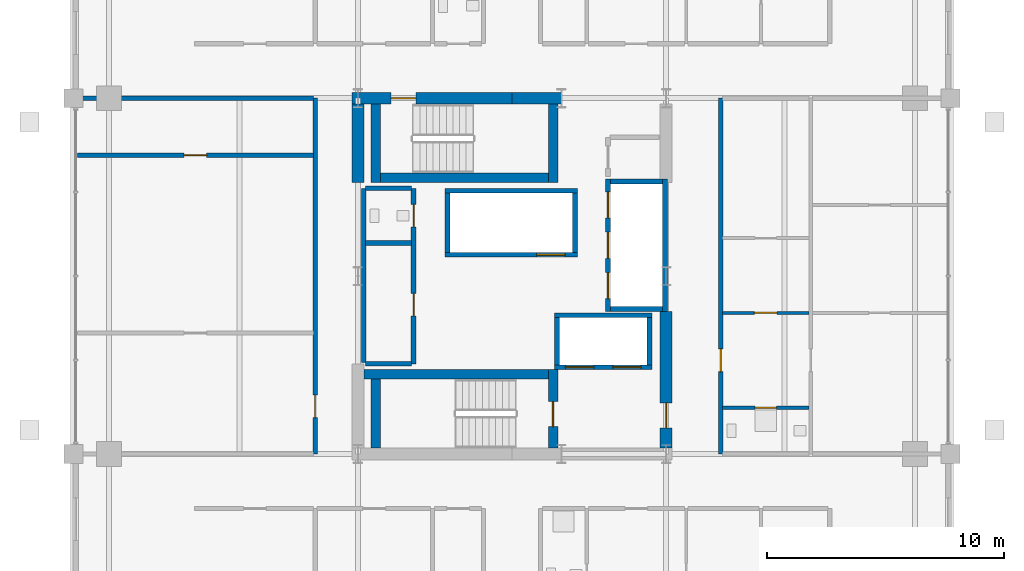
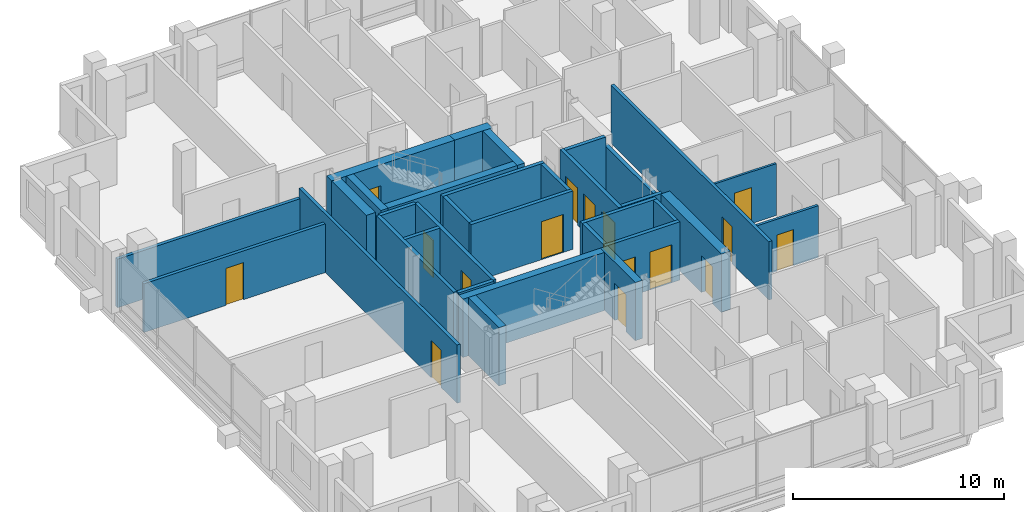
# One storey, part 19 of 24: 33 walls, 16 doors, 16 openings.
"""IFC4 building model written with IfcOpenShell, lengths in metres."""

from ifc_helpers import new_model, si_unit, direction, frame, frame_2d, origin, place, context, subcontext, project, spatial, rectangle, extrude, material, layer, layer_set, type_object, element, fill, save


model = new_model("IFC4")

# Units and contexts
model_context = context("Model", 3, precision=1e-05, world=origin(), true_north=direction((0.0, 1.0)))
body_context = subcontext(model_context, "Body", "Model", "MODEL_VIEW")
ifc_project = project(units=[si_unit("LENGTHUNIT", "METRE"), si_unit("AREAUNIT", "SQUARE_METRE"), si_unit("VOLUMEUNIT", "CUBIC_METRE"), si_unit("PLANEANGLEUNIT", "RADIAN"), si_unit("MASSUNIT", "GRAM", prefix="KILO")], contexts=[model_context])

# Site, building, storey
site_placement = place(None, origin())
site = spatial("IfcSite", under=ifc_project, at=site_placement, CompositionType="ELEMENT")
building_placement = place(site_placement, origin())
building = spatial("IfcBuilding", under=site, at=building_placement, Name="Barlavira Tower and Art Museum", CompositionType="ELEMENT")
storey_placement = place(building_placement, frame((0.0, 0.0, 180.0)))
storey = spatial("IfcBuildingStorey", under=building, at=storey_placement, Name="L46", CompositionType="ELEMENT", Elevation=180.0)

# Wall, opening, door
ifc_material_1 = material(Name="Gypsum acoustic stud partition", Category="gypsum")
ifc_layer_1 = layer(ifc_material_1, 0.1201171875, Name="Gypsum acoustic stud partition")
ifc_layer_set_1 = layer_set([ifc_layer_1], Name="Gypsum acoustic stud partition")
wall_type_1 = type_object("IfcWallType", Name="Apartment Internal Acoustic Partition 120", PredefinedType="PARTITIONING", material=ifc_layer_set_1)
wall_1_placement = place(storey_placement, frame((8.8798828125, -1.550048828125, 0.0), z_axis=(0.0, 0.0, 1.0), x_axis=(1.0, 0.0, 0.0)))
wall_1 = element("IfcWall", 1, at=wall_1_placement, inside=storey, type_object=wall_type_1, Name="L46 Partition Wall 44", PredefinedType="PARTITIONING", context=body_context, shape_type="SweptSolid", body=[
    extrude(rectangle(XDim=3.64013671875, YDim=0.1201171875, at=frame_2d((1.820068359375, 0.0))), origin(), (0.0, 0.0, 1.0), 3.010986328125),
])
opening_1_placement = place(wall_1_placement, frame((1.344970703125, 0.0, 0.0)))
opening_1 = element("IfcOpeningElement", 2, at=opening_1_placement, cuts=wall_1, Name="Opening D-02", PredefinedType="OPENING", context=body_context, shape_type="SweptSolid", body=[
    extrude(rectangle(XDim=0.949951171875, YDim=2.10009765625, at=frame_2d((0.47509765625, 1.050048828125))), frame((0.0, 0.070068359375, 0.0), z_axis=(0.0, -1.0, 0.0), x_axis=(1.0, 0.0, 0.0)), (0.0, 0.0, 1.0), 0.14013671875),
])
ifc_material_2 = material(Name="Engineered coastal hardwood", Category="wood")
door_type_1 = type_object("IfcDoorType", Name="Living and Salon Glazed-Leaf Door 950x2100", OperationType="NOTDEFINED", PredefinedType="DOOR", material=ifc_material_2)
door_1_placement = place(opening_1_placement, origin())
door_1 = element("IfcDoor", 3, at=door_1_placement, inside=storey, type_object=door_type_1, Name="Apartment E1 Kitchen Door", OperationType="SINGLE_SWING_RIGHT", OverallHeight=2.10009765625, OverallWidth=0.949951171875, PredefinedType="DOOR", context=body_context, shape_type="SweptSolid", body=[
    extrude(rectangle(XDim=0.949951171875, YDim=2.10009765625, at=frame_2d((0.47509765625, 1.050048828125))), frame((0.0, 0.02490234375, 0.0), z_axis=(0.0, -1.0, 0.0), x_axis=(1.0, 0.0, 0.0)), (0.0, 0.0, 1.0), 0.050048828125),
])
fill(opening_1, door_1)

ifc_material_3 = material(Name="Concrete C60", Category="concrete")
ifc_layer_2 = layer(ifc_material_3, 0.5, Name="Concrete C60")
ifc_layer_set_2 = layer_set([ifc_layer_2], Name="Concrete C60")
wall_type_2 = type_object("IfcWallType", Name="Core Structural Shear Wall 500 Concrete C60", PredefinedType="SHEAR", material=ifc_layer_set_2)
wall_2_placement = place(storey_placement, frame((-6.75, 7.5, 0.0), z_axis=(0.0, 0.0, 1.0), x_axis=(1.0, 0.0, 0.0)))
wall_2 = element("IfcWall", 4, at=wall_2_placement, inside=storey, type_object=wall_type_2, Name="L46 Core Shear Wall CS-NW", PredefinedType="SHEAR", context=body_context, shape_type="SweptSolid", body=[
    extrude(rectangle(XDim=6.75, YDim=0.5, at=frame_2d((3.375, 0.0))), origin(), (0.0, 0.0, 1.0), 3.3798828125),
])
opening_2_placement = place(wall_2_placement, frame((1.64990234375, 0.0, 0.0)))
opening_2 = element("IfcOpeningElement", 5, at=opening_2_placement, cuts=wall_2, Name="Opening FD-90", PredefinedType="OPENING", context=body_context, shape_type="SweptSolid", body=[
    extrude(rectangle(XDim=1.050048828125, YDim=2.14990234375, at=frame_2d((0.52490234375, 1.074951171875))), frame((0.0, 0.260009765625, 0.0), z_axis=(0.0, -1.0, 0.0), x_axis=(1.0, 0.0, 0.0)), (0.0, 0.0, 1.0), 0.52001953125),
])
ifc_material_4 = material(Name="Brushed stainless steel", Category="steel")
door_type_2 = type_object("IfcDoorType", Name="Stair and Refuge Fire Door 1050x2150 FD90S", OperationType="NOTDEFINED", PredefinedType="DOOR", material=ifc_material_4)
door_2_placement = place(opening_2_placement, origin())
door_2 = element("IfcDoor", 6, at=door_2_placement, inside=storey, type_object=door_type_2, Name="L46 Stair ST-T2 Fire Door", OperationType="SINGLE_SWING_LEFT", OverallHeight=2.14990234375, OverallWidth=1.050048828125, PredefinedType="DOOR", context=body_context, shape_type="SweptSolid", body=[
    extrude(rectangle(XDim=1.050048828125, YDim=2.14990234375, at=frame_2d((0.52490234375, 1.074951171875))), frame((0.0, 0.02490234375, 0.0), z_axis=(0.0, -1.0, 0.0), x_axis=(1.0, 0.0, 0.0)), (0.0, 0.0, 1.0), 0.050048828125),
])
fill(opening_2, door_2)

# Walls
wall_3_placement = place(storey_placement, frame((0.0, 7.5, 0.0), z_axis=(0.0, 0.0, 1.0), x_axis=(1.0, 0.0, 0.0)))
element("IfcWall", 7, at=wall_3_placement, inside=storey, type_object=wall_type_2, Name="L46 Core Shear Wall CS-EN", PredefinedType="SHEAR", context=body_context, shape_type="SweptSolid", body=[
    extrude(rectangle(XDim=2.080078125, YDim=0.5, at=frame_2d((1.0400390625, 0.0))), origin(), (0.0, 0.0, 1.0), 3.3798828125),
])
wall_4_placement = place(storey_placement, frame((-6.5, 3.949951171875, 0.0), z_axis=(0.0, 0.0, 1.0), x_axis=(0.0, 1.0, 0.0)))
element("IfcWall", 8, at=wall_4_placement, inside=storey, type_object=wall_type_2, Name="L46 Core Shear Wall CS-W2", PredefinedType="SHEAR", context=body_context, shape_type="SweptSolid", body=[
    extrude(rectangle(XDim=3.300048828125, YDim=0.5, at=frame_2d((1.64990234375, 0.0))), origin(), (0.0, 0.0, 1.0), 3.3798828125),
])

# Wall, opening, door
wall_5_placement = place(storey_placement, frame((6.5, -7.25, 0.0), z_axis=(0.0, 0.0, 1.0), x_axis=(0.0, 1.0, 0.0)))
wall_5 = element("IfcWall", 9, at=wall_5_placement, inside=storey, type_object=wall_type_2, Name="L46 Core Shear Wall CS-E1", PredefinedType="SHEAR", context=body_context, shape_type="SweptSolid", body=[
    extrude(rectangle(XDim=5.75, YDim=0.5, at=frame_2d((2.875, 0.0))), origin(), (0.0, 0.0, 1.0), 3.3798828125),
])
opening_3_placement = place(wall_5_placement, frame((0.85009765625, 0.0, 0.0)))
opening_3 = element("IfcOpeningElement", 10, at=opening_3_placement, cuts=wall_5, Name="Opening FD-90", PredefinedType="OPENING", context=body_context, shape_type="SweptSolid", body=[
    extrude(rectangle(XDim=1.050048828125, YDim=2.14990234375, at=frame_2d((0.52490234375, 1.074951171875))), frame((0.0, 0.260009765625, 0.0), z_axis=(0.0, -1.0, 0.0), x_axis=(1.0, 0.0, 0.0)), (0.0, 0.0, 1.0), 0.52001953125),
])
door_3_placement = place(opening_3_placement, origin())
door_3 = element("IfcDoor", 11, at=door_3_placement, inside=storey, type_object=door_type_2, Name="L46 Firefighting Lobby Entry Fire Door", OperationType="SINGLE_SWING_LEFT", OverallHeight=2.14990234375, OverallWidth=1.050048828125, PredefinedType="DOOR", context=body_context, shape_type="SweptSolid", body=[
    extrude(rectangle(XDim=1.050048828125, YDim=2.14990234375, at=frame_2d((0.52490234375, 1.074951171875))), frame((0.0, 0.02490234375, 0.0), z_axis=(0.0, -1.0, 0.0), x_axis=(1.0, 0.0, 0.0)), (0.0, 0.0, 1.0), 0.050048828125),
])
fill(opening_3, door_3)

# Wall, openings, doors
ifc_material_5 = material(Name="Autoclaved aerated concrete masonry", Category="masonry")
ifc_layer_3 = layer(ifc_material_5, 0.199951171875, Name="Autoclaved aerated concrete masonry")
ifc_layer_set_3 = layer_set([ifc_layer_3], Name="Autoclaved aerated concrete masonry")
wall_type_3 = type_object("IfcWallType", Name="Fire Compartment and Shaft Wall 200", PredefinedType="SOLIDWALL", material=ifc_layer_set_3)
wall_6_placement = place(storey_placement, frame((4.050048828125, -1.489990234375, 0.0), z_axis=(0.0, 0.0, 1.0), x_axis=(0.0, 1.0, 0.0)))
wall_6 = element("IfcWall", 12, at=wall_6_placement, inside=storey, type_object=wall_type_3, Name="L46 Mid-Rise Lift Front Shaft Wall", PredefinedType="SOLIDWALL", context=body_context, shape_type="SweptSolid", body=[
    extrude(rectangle(XDim=5.580078125, YDim=0.199951171875, at=frame_2d((2.7900390625, 0.0))), origin(), (0.0, 0.0, 1.0), 3.3798828125),
])
opening_4_placement = place(wall_6_placement, frame((0.5400390625, 0.0, 0.0)))
opening_4 = element("IfcOpeningElement", 13, at=opening_4_placement, cuts=wall_6, Name="Opening LD-P", PredefinedType="OPENING", context=body_context, shape_type="SweptSolid", body=[
    extrude(rectangle(XDim=1.10009765625, YDim=2.14990234375, at=frame_2d((0.550048828125, 1.074951171875))), frame((0.0, 0.10986328125, 0.0), z_axis=(0.0, -1.0, 0.0), x_axis=(1.0, 0.0, 0.0)), (0.0, 0.0, 1.0), 0.219970703125),
])
opening_5_placement = place(wall_6_placement, frame((2.239990234375, 0.0, 0.0)))
opening_5 = element("IfcOpeningElement", 14, at=opening_5_placement, cuts=wall_6, Name="Opening LD-P", PredefinedType="OPENING", context=body_context, shape_type="SweptSolid", body=[
    extrude(rectangle(XDim=1.10009765625, YDim=2.14990234375, at=frame_2d((0.550048828125, 1.074951171875))), frame((0.0, 0.10986328125, 0.0), z_axis=(0.0, -1.0, 0.0), x_axis=(1.0, 0.0, 0.0)), (0.0, 0.0, 1.0), 0.219970703125),
])
opening_6_placement = place(wall_6_placement, frame((3.93994140625, 0.0, 0.0)))
opening_6 = element("IfcOpeningElement", 15, at=opening_6_placement, cuts=wall_6, Name="Opening LD-P", PredefinedType="OPENING", context=body_context, shape_type="SweptSolid", body=[
    extrude(rectangle(XDim=1.10009765625, YDim=2.14990234375, at=frame_2d((0.550048828125, 1.074951171875))), frame((0.0, 0.10986328125, 0.0), z_axis=(0.0, -1.0, 0.0), x_axis=(1.0, 0.0, 0.0)), (0.0, 0.0, 1.0), 0.219970703125),
])
door_type_3 = type_object("IfcDoorType", Name="Passenger Lift Sliding Landing Door 1100x2150 FD60", OperationType="NOTDEFINED", PredefinedType="DOOR", material=ifc_material_4)
door_4_placement = place(opening_4_placement, origin())
door_4 = element("IfcDoor", 16, at=door_4_placement, inside=storey, type_object=door_type_3, Name="L46 Lift PM1 Sliding Landing Door", OperationType="DOUBLE_DOOR_SLIDING", OverallHeight=2.14990234375, OverallWidth=1.10009765625, PredefinedType="DOOR", context=body_context, shape_type="SweptSolid", body=[
    extrude(rectangle(XDim=1.10009765625, YDim=2.14990234375, at=frame_2d((0.550048828125, 1.074951171875))), frame((0.0, 0.02490234375, 0.0), z_axis=(0.0, -1.0, 0.0), x_axis=(1.0, 0.0, 0.0)), (0.0, 0.0, 1.0), 0.050048828125),
])
fill(opening_4, door_4)
door_5_placement = place(opening_5_placement, origin())
door_5 = element("IfcDoor", 17, at=door_5_placement, inside=storey, type_object=door_type_3, Name="L46 Lift PM2 Sliding Landing Door", OperationType="DOUBLE_DOOR_SLIDING", OverallHeight=2.14990234375, OverallWidth=1.10009765625, PredefinedType="DOOR", context=body_context, shape_type="SweptSolid", body=[
    extrude(rectangle(XDim=1.10009765625, YDim=2.14990234375, at=frame_2d((0.550048828125, 1.074951171875))), frame((0.0, 0.02490234375, 0.0), z_axis=(0.0, -1.0, 0.0), x_axis=(1.0, 0.0, 0.0)), (0.0, 0.0, 1.0), 0.050048828125),
])
fill(opening_5, door_5)
door_6_placement = place(opening_6_placement, origin())
door_6 = element("IfcDoor", 18, at=door_6_placement, inside=storey, type_object=door_type_3, Name="L46 Lift PM3 Sliding Landing Door", OperationType="DOUBLE_DOOR_SLIDING", OverallHeight=2.14990234375, OverallWidth=1.10009765625, PredefinedType="DOOR", context=body_context, shape_type="SweptSolid", body=[
    extrude(rectangle(XDim=1.10009765625, YDim=2.14990234375, at=frame_2d((0.550048828125, 1.074951171875))), frame((0.0, 0.02490234375, 0.0), z_axis=(0.0, -1.0, 0.0), x_axis=(1.0, 0.0, 0.0)), (0.0, 0.0, 1.0), 0.050048828125),
])
fill(opening_6, door_6)

# Walls
wall_7_placement = place(storey_placement, frame((6.449951171875, -1.489990234375, 0.0), z_axis=(0.0, 0.0, 1.0), x_axis=(0.0, 1.0, 0.0)))
element("IfcWall", 19, at=wall_7_placement, inside=storey, type_object=wall_type_3, Name="L46 Mid-Rise Lift Back Shaft Wall", PredefinedType="SOLIDWALL", context=body_context, shape_type="SweptSolid", body=[
    extrude(rectangle(XDim=5.580078125, YDim=0.199951171875, at=frame_2d((2.7900390625, 0.0))), origin(), (0.0, 0.0, 1.0), 2.825927734375),
])
for number, where, z_axis, x_axis, name in (
    (20, (4.14990234375, -1.389892578125, 0.0), (0.0, 0.0, 1.0), (1.0, 0.0, 0.0), "L46 Mid-Rise Lift South Shaft Wall"),
    (21, (4.14990234375, 3.989990234375, 0.0), (0.0, 0.0, 1.0), (1.0, 0.0, 0.0), "L46 Mid-Rise Lift North Shaft Wall"),
):
    element("IfcWall", number, at=place(storey_placement, frame(where, z_axis=z_axis, x_axis=x_axis)), inside=storey, type_object=wall_type_3, Name=name, PredefinedType="SOLIDWALL", context=body_context, shape_type="SweptSolid", body=[
        extrude(rectangle(XDim=2.2001953125, YDim=0.199951171875, at=frame_2d((1.10009765625, 0.0))), origin(), (0.0, 0.0, 1.0), 3.3798828125),
    ])

# Wall, opening, door
wall_8_placement = place(storey_placement, frame((-2.820068359375, 0.89990234375, 0.0), z_axis=(0.0, 0.0, 1.0), x_axis=(1.0, 0.0, 0.0)))
wall_8 = element("IfcWall", 22, at=wall_8_placement, inside=storey, type_object=wall_type_3, Name="L46 High-Rise & Service Lift Front Wall", PredefinedType="SOLIDWALL", context=body_context, shape_type="SweptSolid", body=[
    extrude(rectangle(XDim=5.580078125, YDim=0.199951171875, at=frame_2d((2.7900390625, 0.0))), origin(), (0.0, 0.0, 1.0), 3.3798828125),
])
opening_7_placement = place(wall_8_placement, frame((3.860107421875, 0.0, 0.0)))
opening_7 = element("IfcOpeningElement", 23, at=opening_7_placement, cuts=wall_8, Name="Opening LD-F", PredefinedType="OPENING", context=body_context, shape_type="SweptSolid", body=[
    extrude(rectangle(XDim=1.199951171875, YDim=2.199951171875, at=frame_2d((0.60009765625, 1.10009765625))), frame((0.0, 0.10986328125, 0.0), z_axis=(0.0, -1.0, 0.0), x_axis=(1.0, 0.0, 0.0)), (0.0, 0.0, 1.0), 0.219970703125),
])
door_type_4 = type_object("IfcDoorType", Name="Firefighting and Service Lift Sliding Door 1200x2200 FD120", OperationType="NOTDEFINED", PredefinedType="DOOR", material=ifc_material_4)
door_7_placement = place(opening_7_placement, origin())
door_7 = element("IfcDoor", 24, at=door_7_placement, inside=storey, type_object=door_type_4, Name="L46 Stretcher Service Lift SL1 Sliding Door", OperationType="DOUBLE_DOOR_SLIDING", OverallHeight=2.199951171875, OverallWidth=1.199951171875, PredefinedType="DOOR", context=body_context, shape_type="SweptSolid", body=[
    extrude(rectangle(XDim=1.199951171875, YDim=2.199951171875, at=frame_2d((0.60009765625, 1.10009765625))), frame((0.0, 0.02490234375, 0.0), z_axis=(0.0, -1.0, 0.0), x_axis=(1.0, 0.0, 0.0)), (0.0, 0.0, 1.0), 0.050048828125),
])
fill(opening_7, door_7)

# Walls
wall_9_placement = place(storey_placement, frame((-2.820068359375, 3.60009765625, 0.0), z_axis=(0.0, 0.0, 1.0), x_axis=(1.0, 0.0, 0.0)))
element("IfcWall", 25, at=wall_9_placement, inside=storey, type_object=wall_type_3, Name="L46 High-Rise & Service Lift Back Wall", PredefinedType="SOLIDWALL", context=body_context, shape_type="SweptSolid", body=[
    extrude(rectangle(XDim=5.580078125, YDim=0.199951171875, at=frame_2d((2.7900390625, 0.0))), origin(), (0.0, 0.0, 1.0), 3.3798828125),
])
for number, where, z_axis, x_axis, name in (
    (26, (-2.719970703125, 1.0, 0.0), (0.0, 0.0, 1.0), (0.0, 1.0, 0.0), "L46 High-Rise & Service Lift West Wall"),
    (27, (2.659912109375, 1.0, 0.0), (0.0, 0.0, 1.0), (0.0, 1.0, 0.0), "L46 High-Rise & Service Lift East Wall"),
):
    element("IfcWall", number, at=place(storey_placement, frame(where, z_axis=z_axis, x_axis=x_axis)), inside=storey, type_object=wall_type_3, Name=name, PredefinedType="SOLIDWALL", context=body_context, shape_type="SweptSolid", body=[
        extrude(rectangle(XDim=2.5, YDim=0.199951171875, at=frame_2d((1.25, 0.0))), origin(), (0.0, 0.0, 1.0), 3.3798828125),
    ])

# Wall, openings, doors
wall_10_placement = place(storey_placement, frame((1.800048828125, -3.85009765625, 0.0), z_axis=(0.0, 0.0, 1.0), x_axis=(1.0, 0.0, 0.0)))
wall_10 = element("IfcWall", 28, at=wall_10_placement, inside=storey, type_object=wall_type_3, Name="L46 Firefighting Lift Front Shaft Wall", PredefinedType="SOLIDWALL", context=body_context, shape_type="SweptSolid", body=[
    extrude(rectangle(XDim=4.099853515625, YDim=0.199951171875, at=frame_2d((2.0498046875, 0.0))), origin(), (0.0, 0.0, 1.0), 3.3798828125),
])
opening_8_placement = place(wall_10_placement, frame((0.449951171875, 0.0, 0.0)))
opening_8 = element("IfcOpeningElement", 29, at=opening_8_placement, cuts=wall_10, Name="Opening LD-F", PredefinedType="OPENING", context=body_context, shape_type="SweptSolid", body=[
    extrude(rectangle(XDim=1.199951171875, YDim=2.199951171875, at=frame_2d((0.60009765625, 1.10009765625))), frame((0.0, 0.10986328125, 0.0), z_axis=(0.0, -1.0, 0.0), x_axis=(1.0, 0.0, 0.0)), (0.0, 0.0, 1.0), 0.219970703125),
])
opening_9_placement = place(wall_10_placement, frame((2.449951171875, 0.0, 0.0)))
opening_9 = element("IfcOpeningElement", 30, at=opening_9_placement, cuts=wall_10, Name="Opening LD-F", PredefinedType="OPENING", context=body_context, shape_type="SweptSolid", body=[
    extrude(rectangle(XDim=1.199951171875, YDim=2.199951171875, at=frame_2d((0.60009765625, 1.10009765625))), frame((0.0, 0.10986328125, 0.0), z_axis=(0.0, -1.0, 0.0), x_axis=(1.0, 0.0, 0.0)), (0.0, 0.0, 1.0), 0.219970703125),
])
door_8_placement = place(opening_8_placement, origin())
door_8 = element("IfcDoor", 31, at=door_8_placement, inside=storey, type_object=door_type_4, Name="L46 Firefighting Lift FF1 Sliding Door", OperationType="DOUBLE_DOOR_SLIDING", OverallHeight=2.199951171875, OverallWidth=1.199951171875, PredefinedType="DOOR", context=body_context, shape_type="SweptSolid", body=[
    extrude(rectangle(XDim=1.199951171875, YDim=2.199951171875, at=frame_2d((0.60009765625, 1.10009765625))), frame((0.0, 0.02490234375, 0.0), z_axis=(0.0, -1.0, 0.0), x_axis=(1.0, 0.0, 0.0)), (0.0, 0.0, 1.0), 0.050048828125),
])
fill(opening_8, door_8)
door_9_placement = place(opening_9_placement, origin())
door_9 = element("IfcDoor", 32, at=door_9_placement, inside=storey, type_object=door_type_4, Name="L46 Firefighting Lift FF2 Sliding Door", OperationType="DOUBLE_DOOR_SLIDING", OverallHeight=2.199951171875, OverallWidth=1.199951171875, PredefinedType="DOOR", context=body_context, shape_type="SweptSolid", body=[
    extrude(rectangle(XDim=1.199951171875, YDim=2.199951171875, at=frame_2d((0.60009765625, 1.10009765625))), frame((0.0, 0.02490234375, 0.0), z_axis=(0.0, -1.0, 0.0), x_axis=(1.0, 0.0, 0.0)), (0.0, 0.0, 1.0), 0.050048828125),
])
fill(opening_9, door_9)

# Walls
wall_11_placement = place(storey_placement, frame((1.800048828125, -1.64990234375, 0.0), z_axis=(0.0, 0.0, 1.0), x_axis=(1.0, 0.0, 0.0)))
element("IfcWall", 33, at=wall_11_placement, inside=storey, type_object=wall_type_3, Name="L46 Firefighting Lift Back Shaft Wall", PredefinedType="SOLIDWALL", context=body_context, shape_type="SweptSolid", body=[
    extrude(rectangle(XDim=4.099853515625, YDim=0.199951171875, at=frame_2d((2.0498046875, 0.0))), origin(), (0.0, 0.0, 1.0), 3.3798828125),
])
for number, where, z_axis, x_axis, name in (
    (34, (1.89990234375, -3.75, 0.0), (0.0, 0.0, 1.0), (0.0, 1.0, 0.0), "L46 Firefighting Lift West Shaft Wall"),
    (35, (5.800048828125, -3.75, 0.0), (0.0, 0.0, 1.0), (0.0, 1.0, 0.0), "L46 Firefighting Lift East Shaft Wall"),
):
    element("IfcWall", number, at=place(storey_placement, frame(where, z_axis=z_axis, x_axis=x_axis)), inside=storey, type_object=wall_type_3, Name=name, PredefinedType="SOLIDWALL", context=body_context, shape_type="SweptSolid", body=[
        extrude(rectangle(XDim=2.0, YDim=0.199951171875, at=frame_2d((1.0, 0.0))), origin(), (0.0, 0.0, 1.0), 3.3798828125),
    ])
wall_12_placement = place(storey_placement, frame((-6.25, -3.639892578125, 0.0), z_axis=(0.0, 0.0, 1.0), x_axis=(0.0, 1.0, 0.0)))
element("IfcWall", 36, at=wall_12_placement, inside=storey, type_object=wall_type_3, Name="L46 Partition Wall 4", PredefinedType="SOLIDWALL", context=body_context, shape_type="SweptSolid", body=[
    extrude(rectangle(XDim=7.33984375, YDim=0.199951171875, at=frame_2d((3.669921875, 0.0))), origin(), (0.0, 0.0, 1.0), 3.3798828125),
])

# Wall, openings, doors
wall_13_placement = place(storey_placement, frame((-4.14990234375, -3.699951171875, 0.0), z_axis=(0.0, 0.0, 1.0), x_axis=(0.0, 1.0, 0.0)))
wall_13 = element("IfcWall", 37, at=wall_13_placement, inside=storey, type_object=wall_type_3, Name="L46 Partition Wall 5", PredefinedType="SOLIDWALL", context=body_context, shape_type="SweptSolid", body=[
    extrude(rectangle(XDim=7.39990234375, YDim=0.199951171875, at=frame_2d((3.699951171875, 0.0))), origin(), (0.0, 0.0, 1.0), 3.3798828125),
])
opening_10_placement = place(wall_13_placement, frame((2.02490234375, 0.0, 0.0)))
opening_10 = element("IfcOpeningElement", 38, at=opening_10_placement, cuts=wall_13, Name="Opening FD-60", PredefinedType="OPENING", context=body_context, shape_type="SweptSolid", body=[
    extrude(rectangle(XDim=0.949951171875, YDim=2.14990234375, at=frame_2d((0.47509765625, 1.074951171875))), frame((0.0, 0.10986328125, 0.0), z_axis=(0.0, -1.0, 0.0), x_axis=(1.0, 0.0, 0.0)), (0.0, 0.0, 1.0), 0.219970703125),
])
opening_11_placement = place(wall_13_placement, frame((5.77490234375, 0.0, 0.0)))
opening_11 = element("IfcOpeningElement", 39, at=opening_11_placement, cuts=wall_13, Name="Opening FD-60", PredefinedType="OPENING", context=body_context, shape_type="SweptSolid", body=[
    extrude(rectangle(XDim=0.949951171875, YDim=2.14990234375, at=frame_2d((0.47509765625, 1.074951171875))), frame((0.0, 0.10986328125, 0.0), z_axis=(0.0, -1.0, 0.0), x_axis=(1.0, 0.0, 0.0)), (0.0, 0.0, 1.0), 0.219970703125),
])
door_type_5 = type_object("IfcDoorType", Name="Apartment Entrance and Riser Fire Door 950x2150 FD60S", OperationType="NOTDEFINED", PredefinedType="DOOR", material=ifc_material_4)
door_10_placement = place(opening_10_placement, origin())
door_10 = element("IfcDoor", 40, at=door_10_placement, inside=storey, type_object=door_type_5, Name="Reclaimed Core Resident Parcel Room Door", OperationType="SINGLE_SWING_LEFT", OverallHeight=2.14990234375, OverallWidth=0.949951171875, PredefinedType="DOOR", context=body_context, shape_type="SweptSolid", body=[
    extrude(rectangle(XDim=0.949951171875, YDim=2.14990234375, at=frame_2d((0.47509765625, 1.074951171875))), frame((0.0, 0.02490234375, 0.0), z_axis=(0.0, -1.0, 0.0), x_axis=(1.0, 0.0, 0.0)), (0.0, 0.0, 1.0), 0.050048828125),
])
fill(opening_10, door_10)
door_11_placement = place(opening_11_placement, origin())
door_11 = element("IfcDoor", 41, at=door_11_placement, inside=storey, type_object=door_type_5, Name="Reclaimed Core Accessible WC Door", OperationType="SINGLE_SWING_RIGHT", OverallHeight=2.14990234375, OverallWidth=0.949951171875, PredefinedType="DOOR", context=body_context, shape_type="SweptSolid", body=[
    extrude(rectangle(XDim=0.949951171875, YDim=2.14990234375, at=frame_2d((0.47509765625, 1.074951171875))), frame((0.0, 0.02490234375, 0.0), z_axis=(0.0, -1.0, 0.0), x_axis=(1.0, 0.0, 0.0)), (0.0, 0.0, 1.0), 0.050048828125),
])
fill(opening_11, door_11)

# Walls
for number, where, z_axis, x_axis, name in (
    (42, (-6.169921875, -3.699951171875, 0.0), (0.0, 0.0, 1.0), (1.0, 0.0, 0.0), "L46 Partition Wall 42"),
    (43, (-6.169921875, 1.39990234375, 0.0), (0.0, 0.0, 1.0), (1.0, 0.0, 0.0), "L46 Partition Wall 46"),
    (44, (-6.169921875, 3.699951171875, 0.0), (0.0, 0.0, 1.0), (1.0, 0.0, 0.0), "L46 Partition Wall 49"),
):
    element("IfcWall", number, at=place(storey_placement, frame(where, z_axis=z_axis, x_axis=x_axis)), inside=storey, type_object=wall_type_3, Name=name, PredefinedType="SOLIDWALL", context=body_context, shape_type="SweptSolid", body=[
        extrude(rectangle(XDim=1.93994140625, YDim=0.199951171875, at=frame_2d((0.969970703125, 0.0))), origin(), (0.0, 0.0, 1.0), 3.3798828125),
    ])

# Wall, opening, door
ifc_layer_4 = layer(ifc_material_1, 0.179931640625, Name="Gypsum acoustic stud partition")
ifc_layer_set_4 = layer_set([ifc_layer_4], Name="Gypsum acoustic stud partition")
wall_type_4 = type_object("IfcWallType", Name="Inter-Tenancy Party Partition Wall 180", PredefinedType="PARTITIONING", material=ifc_layer_set_4)
wall_14_placement = place(storey_placement, frame((-8.300048828125, -7.5, 0.0), z_axis=(0.0, 0.0, 1.0), x_axis=(0.0, 1.0, 0.0)))
wall_14 = element("IfcWall", 45, at=wall_14_placement, inside=storey, type_object=wall_type_4, Name="L46 Partition Wall 2", PredefinedType="PARTITIONING", context=body_context, shape_type="SweptSolid", body=[
    extrude(rectangle(XDim=15.0, YDim=0.179931640625, at=frame_2d((7.5, 0.0))), origin(), (0.0, 0.0, 1.0), 3.3798828125),
])
opening_12_placement = place(wall_14_placement, frame((1.52490234375, 0.0, 0.0)))
opening_12 = element("IfcOpeningElement", 46, at=opening_12_placement, cuts=wall_14, Name="Opening FD-60", PredefinedType="OPENING", context=body_context, shape_type="SweptSolid", body=[
    extrude(rectangle(XDim=0.949951171875, YDim=2.14990234375, at=frame_2d((0.47509765625, 1.074951171875))), frame((0.0, 0.10009765625, 0.0), z_axis=(0.0, -1.0, 0.0), x_axis=(1.0, 0.0, 0.0)), (0.0, 0.0, 1.0), 0.199951171875),
])
door_12_placement = place(opening_12_placement, origin())
door_12 = element("IfcDoor", 47, at=door_12_placement, inside=storey, type_object=door_type_5, Name="Resident Rare-Book Reading Room Door", OperationType="SINGLE_SWING_LEFT", OverallHeight=2.14990234375, OverallWidth=0.949951171875, PredefinedType="DOOR", context=body_context, shape_type="SweptSolid", body=[
    extrude(rectangle(XDim=0.949951171875, YDim=2.14990234375, at=frame_2d((0.47509765625, 1.074951171875))), frame((0.0, 0.02490234375, 0.0), z_axis=(0.0, -1.0, 0.0), x_axis=(1.0, 0.0, 0.0)), (0.0, 0.0, 1.0), 0.050048828125),
])
fill(opening_12, door_12)

wall_15_placement = place(storey_placement, frame((8.800048828125, -7.5, 0.0), z_axis=(0.0, 0.0, 1.0), x_axis=(0.0, 1.0, 0.0)))
wall_15 = element("IfcWall", 48, at=wall_15_placement, inside=storey, type_object=wall_type_4, Name="L46 Partition Wall 19", PredefinedType="PARTITIONING", context=body_context, shape_type="SweptSolid", body=[
    extrude(rectangle(XDim=15.0, YDim=0.179931640625, at=frame_2d((7.5, 0.0))), origin(), (0.0, 0.0, 1.0), 3.3798828125),
])
opening_13_placement = place(wall_15_placement, frame((3.47509765625, 0.0, 0.0)))
opening_13 = element("IfcOpeningElement", 49, at=opening_13_placement, cuts=wall_15, Name="Opening FD-60", PredefinedType="OPENING", context=body_context, shape_type="SweptSolid", body=[
    extrude(rectangle(XDim=0.949951171875, YDim=2.14990234375, at=frame_2d((0.47509765625, 1.074951171875))), frame((0.0, 0.10009765625, 0.0), z_axis=(0.0, -1.0, 0.0), x_axis=(1.0, 0.0, 0.0)), (0.0, 0.0, 1.0), 0.199951171875),
])
door_13_placement = place(opening_13_placement, origin())
door_13 = element("IfcDoor", 50, at=door_13_placement, inside=storey, type_object=door_type_5, Name="Apartment Entrance Hall E1 Door", OperationType="SINGLE_SWING_LEFT", OverallHeight=2.14990234375, OverallWidth=0.949951171875, PredefinedType="DOOR", context=body_context, shape_type="SweptSolid", body=[
    extrude(rectangle(XDim=0.949951171875, YDim=2.14990234375, at=frame_2d((0.47509765625, 1.074951171875))), frame((0.0, 0.02490234375, 0.0), z_axis=(0.0, -1.0, 0.0), x_axis=(1.0, 0.0, 0.0)), (0.0, 0.0, 1.0), 0.050048828125),
])
fill(opening_13, door_13)

wall_16_placement = place(storey_placement, frame((-18.320068359375, 5.10009765625, 0.0), z_axis=(0.0, 0.0, 1.0), x_axis=(1.0, 0.0, 0.0)))
wall_16 = element("IfcWall", 51, at=wall_16_placement, inside=storey, type_object=wall_type_4, Name="L46 Partition Wall 50", PredefinedType="PARTITIONING", context=body_context, shape_type="SweptSolid", body=[
    extrude(rectangle(XDim=9.940185546875, YDim=0.179931640625, at=frame_2d((4.97021484375, 0.0))), origin(), (0.0, 0.0, 1.0), 2.825927734375),
])
opening_14_placement = place(wall_16_placement, frame((4.4951171875, 0.0, 0.0)))
opening_14 = element("IfcOpeningElement", 52, at=opening_14_placement, cuts=wall_16, Name="Opening FD-60", PredefinedType="OPENING", context=body_context, shape_type="SweptSolid", body=[
    extrude(rectangle(XDim=0.949951171875, YDim=2.14990234375, at=frame_2d((0.47509765625, 1.074951171875))), frame((0.0, 0.10009765625, 0.0), z_axis=(0.0, -1.0, 0.0), x_axis=(1.0, 0.0, 0.0)), (0.0, 0.0, 1.0), 0.199951171875),
])
door_14_placement = place(opening_14_placement, origin())
door_14 = element("IfcDoor", 53, at=door_14_placement, inside=storey, type_object=door_type_5, Name="Shared Catering Kitchen Door", OperationType="SINGLE_SWING_LEFT", OverallHeight=2.14990234375, OverallWidth=0.949951171875, PredefinedType="DOOR", context=body_context, shape_type="SweptSolid", body=[
    extrude(rectangle(XDim=0.949951171875, YDim=2.14990234375, at=frame_2d((0.47509765625, 1.074951171875))), frame((0.0, 0.02490234375, 0.0), z_axis=(0.0, -1.0, 0.0), x_axis=(1.0, 0.0, 0.0)), (0.0, 0.0, 1.0), 0.050048828125),
])
fill(opening_14, door_14)

# Wall
wall_17_placement = place(storey_placement, frame((-18.39990234375, 7.5, 0.0), z_axis=(0.0, 0.0, 1.0), x_axis=(1.0, 0.0, 0.0)))
element("IfcWall", 54, at=wall_17_placement, inside=storey, type_object=wall_type_4, Name="L46 Partition Wall 52", PredefinedType="PARTITIONING", context=body_context, shape_type="SweptSolid", body=[
    extrude(rectangle(XDim=10.02001953125, YDim=0.179931640625, at=frame_2d((5.010009765625, 0.0))), origin(), (0.0, 0.0, 1.0), 2.825927734375),
])

# Wall, opening, door
ifc_layer_5 = layer(ifc_material_1, 0.139892578125, Name="Gypsum acoustic stud partition")
ifc_layer_set_5 = layer_set([ifc_layer_5], Name="Gypsum acoustic stud partition")
wall_type_5 = type_object("IfcWallType", Name="Moisture-Resistant Bathroom Partition 140", PredefinedType="PARTITIONING", material=ifc_layer_set_5)
wall_18_placement = place(storey_placement, frame((8.8798828125, -5.550048828125, 0.0), z_axis=(0.0, 0.0, 1.0), x_axis=(1.0, 0.0, 0.0)))
wall_18 = element("IfcWall", 55, at=wall_18_placement, inside=storey, type_object=wall_type_5, Name="L46 Partition Wall 41", PredefinedType="PARTITIONING", context=body_context, shape_type="SweptSolid", body=[
    extrude(rectangle(XDim=3.64013671875, YDim=0.139892578125, at=frame_2d((1.820068359375, 0.0))), origin(), (0.0, 0.0, 1.0), 3.010986328125),
])
opening_15_placement = place(wall_18_placement, frame((1.3701171875, 0.0, 0.0)))
opening_15 = element("IfcOpeningElement", 56, at=opening_15_placement, cuts=wall_18, Name="Opening D-WC", PredefinedType="OPENING", context=body_context, shape_type="SweptSolid", body=[
    extrude(rectangle(XDim=0.89990234375, YDim=2.10009765625, at=frame_2d((0.449951171875, 1.050048828125))), frame((0.0, 0.080078125, 0.0), z_axis=(0.0, -1.0, 0.0), x_axis=(1.0, 0.0, 0.0)), (0.0, 0.0, 1.0), 0.159912109375),
])
door_type_6 = type_object("IfcDoorType", Name="Accessible Bathroom Flush Door 900x2100", OperationType="NOTDEFINED", PredefinedType="DOOR", material=ifc_material_2)
door_15_placement = place(opening_15_placement, origin())
door_15 = element("IfcDoor", 57, at=door_15_placement, inside=storey, type_object=door_type_6, Name="Apartment E1 Hall Bathroom Door", OperationType="SINGLE_SWING_RIGHT", OverallHeight=2.10009765625, OverallWidth=0.89990234375, PredefinedType="DOOR", context=body_context, shape_type="SweptSolid", body=[
    extrude(rectangle(XDim=0.89990234375, YDim=2.10009765625, at=frame_2d((0.449951171875, 1.050048828125))), frame((0.0, 0.02490234375, 0.0), z_axis=(0.0, -1.0, 0.0), x_axis=(1.0, 0.0, 0.0)), (0.0, 0.0, 1.0), 0.050048828125),
])
fill(opening_15, door_15)

# Walls
ifc_material_6 = material(Name="Concrete C55", Category="concrete")
ifc_layer_6 = layer(ifc_material_6, 0.39990234375, Name="Concrete C55")
ifc_layer_set_6 = layer_set([ifc_layer_6], Name="Concrete C55")
wall_type_6 = type_object("IfcWallType", Name="Upper Core Shear Wall 400 Concrete C55", PredefinedType="SHEAR", material=ifc_layer_set_6)
wall_19_placement = place(storey_placement, frame((-5.75, -7.25, 0.0), z_axis=(0.0, 0.0, 1.0), x_axis=(0.0, 1.0, 0.0)))
element("IfcWall", 58, at=wall_19_placement, inside=storey, type_object=wall_type_6, Name="L46 ST-T1 West Half-Landing Wall", PredefinedType="SHEAR", context=body_context, shape_type="SweptSolid", body=[
    extrude(rectangle(XDim=2.89990234375, YDim=0.39990234375, at=frame_2d((1.449951171875, 0.0))), origin(), (0.0, 0.0, 1.0), 3.3798828125),
])
wall_20_placement = place(storey_placement, frame((-6.25, -4.14990234375, 0.0), z_axis=(0.0, 0.0, 1.0), x_axis=(1.0, 0.0, 0.0)))
element("IfcWall", 59, at=wall_20_placement, inside=storey, type_object=wall_type_6, Name="L46 ST-T1 North Shaft Wall", PredefinedType="SHEAR", context=body_context, shape_type="SweptSolid", body=[
    extrude(rectangle(XDim=7.780029296875, YDim=0.39990234375, at=frame_2d((3.89013671875, 0.0))), origin(), (0.0, 0.0, 1.0), 3.3798828125),
])

# Wall, opening, door
wall_21_placement = place(storey_placement, frame((1.72998046875, -7.25, 0.0), z_axis=(0.0, 0.0, 1.0), x_axis=(0.0, 1.0, 0.0)))
wall_21 = element("IfcWall", 60, at=wall_21_placement, inside=storey, type_object=wall_type_6, Name="L46 ST-T1 East Landing Wall", PredefinedType="SHEAR", context=body_context, shape_type="SweptSolid", body=[
    extrude(rectangle(XDim=3.300048828125, YDim=0.39990234375, at=frame_2d((1.64990234375, 0.0))), origin(), (0.0, 0.0, 1.0), 3.3798828125),
])
opening_16_placement = place(wall_21_placement, frame((0.89990234375, 0.0, 0.0)))
opening_16 = element("IfcOpeningElement", 61, at=opening_16_placement, cuts=wall_21, Name="Opening FD-90", PredefinedType="OPENING", context=body_context, shape_type="SweptSolid", body=[
    extrude(rectangle(XDim=1.050048828125, YDim=2.14990234375, at=frame_2d((0.52490234375, 1.074951171875))), frame((0.0, 0.2099609375, 0.0), z_axis=(0.0, -1.0, 0.0), x_axis=(1.0, 0.0, 0.0)), (0.0, 0.0, 1.0), 0.419921875),
])
door_16_placement = place(opening_16_placement, origin())
door_16 = element("IfcDoor", 62, at=door_16_placement, inside=storey, type_object=door_type_2, Name="L46 Stair ST-T1 Fire Door", OperationType="SINGLE_SWING_RIGHT", OverallHeight=2.14990234375, OverallWidth=1.050048828125, PredefinedType="DOOR", context=body_context, shape_type="SweptSolid", body=[
    extrude(rectangle(XDim=1.050048828125, YDim=2.14990234375, at=frame_2d((0.52490234375, 1.074951171875))), frame((0.0, 0.02490234375, 0.0), z_axis=(0.0, -1.0, 0.0), x_axis=(1.0, 0.0, 0.0)), (0.0, 0.0, 1.0), 0.050048828125),
])
fill(opening_16, door_16)

# Walls
wall_22_placement = place(storey_placement, frame((-5.550048828125, 4.14990234375, 0.0), z_axis=(0.0, 0.0, 1.0), x_axis=(1.0, 0.0, 0.0)))
element("IfcWall", 63, at=wall_22_placement, inside=storey, type_object=wall_type_6, Name="L46 ST-T2 South Shaft Wall", PredefinedType="SHEAR", context=body_context, shape_type="SweptSolid", body=[
    extrude(rectangle(XDim=7.080078125, YDim=0.39990234375, at=frame_2d((3.5400390625, 0.0))), origin(), (0.0, 0.0, 1.0), 3.3798828125),
])
for number, where, z_axis, x_axis, name in (
    (64, (1.72998046875, 3.949951171875, 0.0), (0.0, 0.0, 1.0), (0.0, 1.0, 0.0), "L46 ST-T2 East Half-Landing Wall"),
    (65, (-5.75, 3.949951171875, 0.0), (0.0, 0.0, 1.0), (0.0, 1.0, 0.0), "L46 ST-T2 West Shaft Wall"),
):
    element("IfcWall", number, at=place(storey_placement, frame(where, z_axis=z_axis, x_axis=x_axis)), inside=storey, type_object=wall_type_6, Name=name, PredefinedType="SHEAR", context=body_context, shape_type="SweptSolid", body=[
        extrude(rectangle(XDim=3.300048828125, YDim=0.39990234375, at=frame_2d((1.64990234375, 0.0))), origin(), (0.0, 0.0, 1.0), 3.3798828125),
    ])

save(model, "model.ifc")
